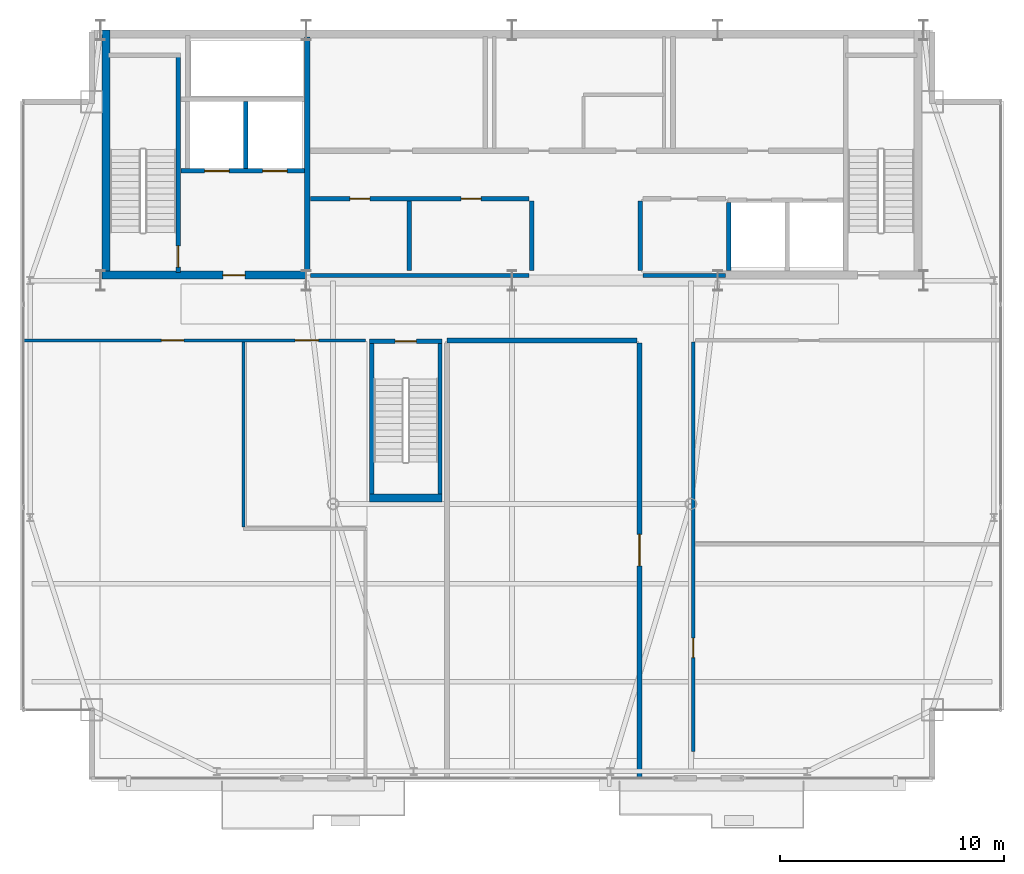
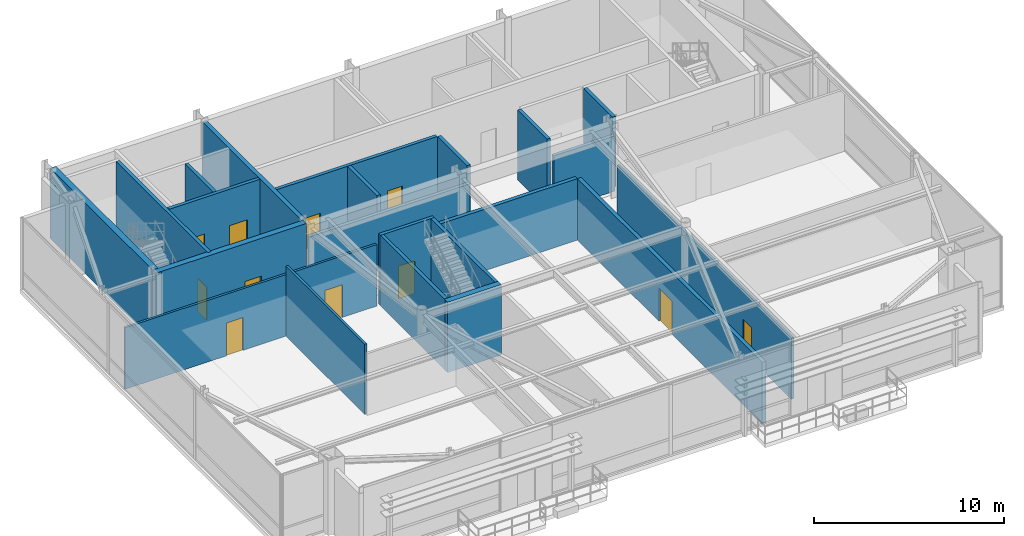
# One storey, part 18 of 22: 22 walls, 11 doors, 11 openings.
"""IFC4 building model written with IfcOpenShell, lengths in metres."""

import ifcopenshell
import ifcopenshell.guid

model = None  # the IFC model being written
_history = None  # IfcOwnerHistory: only IFC2X3 demands one
_inside = {}  # id of a spatial element -> (the spatial element, [elements in it])
_under = {}  # id of a project, library or spatial element -> (it, [spatial elements below it])
_declared = {}  # id of a project -> (the project, [libraries it declares])
_typed = {}  # id of a type object -> (the type object, [elements of that type])
_made_of = {}  # id of a material, layer set ... -> (it, [elements and type objects made of it])


def new_model(schema):
    """Start an empty IFC model of exactly this schema.

    Asked for "IFC4X3", IfcOpenShell would pick the latest addendum, in which some entities
    have other attributes; the version numbers below select the first issue.
    IFC2X3 requires an IfcOwnerHistory on every rooted entity: one is made here for all.
    """
    global model, _history
    if schema == "IFC4X3":
        model = ifcopenshell.file(schema_version=(4, 3, 0, 0))
    else:
        model = ifcopenshell.file(schema=schema)
    _inside.clear()
    _under.clear()
    _declared.clear()
    _typed.clear()
    _made_of.clear()
    _history = None
    if model.schema == "IFC2X3":
        org = make("IfcOrganization", Name="unknown")
        user = make(
            "IfcPersonAndOrganization",
            ThePerson=make("IfcPerson", FamilyName="unknown"),
            TheOrganization=org,
        )
        app = make(
            "IfcApplication",
            ApplicationDeveloper=org,
            Version="unknown",
            ApplicationFullName="unknown",
            ApplicationIdentifier="unknown",
        )
        _history = make(
            "IfcOwnerHistory",
            OwningUser=user,
            OwningApplication=app,
            ChangeAction="ADDED",
            CreationDate=0,
        )
    return model


def make(cls, **values):
    """One entity of the class cls with the attributes given. An attribute that is None is left unset."""
    return model.create_entity(
        cls, **{name: value for name, value in values.items() if value is not None}
    )


def rooted(cls, **values):
    """An entity with a GlobalId (a new one), such as an element, a storey or a relation."""
    return make(cls, GlobalId=ifcopenshell.guid.new(), OwnerHistory=_history, **values)


def si_unit(unit_type, name, prefix=None):
    """IfcSIUnit, for example si_unit("LENGTHUNIT", "METRE", prefix="MILLI")."""
    return make("IfcSIUnit", UnitType=unit_type, Prefix=prefix, Name=name)


def assignment(units):
    """IfcUnitAssignment: the units of a project."""
    return None if units is None else make("IfcUnitAssignment", Units=units)


def point(xyz):
    """IfcCartesianPoint."""
    return None if xyz is None else make("IfcCartesianPoint", Coordinates=xyz)


def direction(xyz):
    """IfcDirection."""
    return None if xyz is None else make("IfcDirection", DirectionRatios=xyz)


def frame(location, z_axis=None, x_axis=None):
    """IfcAxis2Placement3D, a coordinate frame: its origin and axes. An axis left out is left unset."""
    return make(
        "IfcAxis2Placement3D",
        Location=point(location),
        Axis=direction(z_axis),
        RefDirection=direction(x_axis),
    )


def frame_2d(location, x_axis=None):
    """IfcAxis2Placement2D, a coordinate frame in the plane: its origin and x axis."""
    return make(
        "IfcAxis2Placement2D", Location=point(location), RefDirection=direction(x_axis)
    )


def origin():
    """The frame at (0, 0, 0) with its axes left unset."""
    return frame((0.0, 0.0, 0.0))


def place(relative_to, where):
    """IfcLocalPlacement: puts the frame where relative to a parent placement (None: the world)."""
    return make(
        "IfcLocalPlacement", PlacementRelTo=relative_to, RelativePlacement=where
    )


def context(
    kind, dimensions, precision=None, world=None, true_north=None, identifier=None
):
    """IfcGeometricRepresentationContext, for example the 3D "Model" context."""
    return make(
        "IfcGeometricRepresentationContext",
        ContextIdentifier=identifier,
        ContextType=kind,
        CoordinateSpaceDimension=dimensions,
        Precision=precision,
        WorldCoordinateSystem=world,
        TrueNorth=true_north,
    )


def subcontext(parent, identifier, kind, view, scale=None):
    """IfcGeometricRepresentationSubContext, for example "Body" below "Model"."""
    return make(
        "IfcGeometricRepresentationSubContext",
        ContextIdentifier=identifier,
        ContextType=kind,
        ParentContext=parent,
        TargetScale=scale,
        TargetView=view,
    )


def project(units=None, contexts=None):
    """IfcProject with its units and contexts."""
    return rooted(
        "IfcProject",
        Name="project",
        RepresentationContexts=contexts,
        UnitsInContext=assignment(units),
    )


def spatial(cls, under=None, at=None, **own):
    """A site, building, storey or space (cls), placed at a placement, below another one or the project."""
    s = rooted(cls, ObjectPlacement=at, **own)
    if under is not None:
        _under.setdefault(under.id(), (under, []))[1].append(s)
    return s


def profile(cls, at=None, kind="AREA", **sizes):
    """A parametric profile (cls). Its sizes go by their IFC names, for example OverallWidth=200.0."""
    return make(cls, ProfileType=kind, Position=at, **sizes)


def rectangle(**sizes):
    """IfcRectangleProfileDef."""
    return profile("IfcRectangleProfileDef", **sizes)


def extrude(swept, where, along, depth):
    """IfcExtrudedAreaSolid: the profile swept, set in the frame where, extruded along a direction by depth."""
    return make(
        "IfcExtrudedAreaSolid",
        SweptArea=swept,
        Position=where,
        ExtrudedDirection=direction(along),
        Depth=depth,
    )


def shape(context_of_items, identifier, shape_type, items):
    """IfcShapeRepresentation: the items that make up one representation, for example the "Body"."""
    return make(
        "IfcShapeRepresentation",
        ContextOfItems=context_of_items,
        RepresentationIdentifier=identifier,
        RepresentationType=shape_type,
        Items=items,
    )


def source(mapping_origin, context_of_items, identifier, shape_type, items):
    """IfcRepresentationMap: a shape defined once, which mapped items show again and again."""
    return make(
        "IfcRepresentationMap",
        MappingOrigin=mapping_origin,
        MappedRepresentation=shape(context_of_items, identifier, shape_type, items),
    )


def transform(
    local_origin,
    x_axis=None,
    y_axis=None,
    z_axis=None,
    scale=None,
    scale2=None,
    scale3=None,
    uniform=True,
):
    """IfcCartesianTransformationOperator3D, or its non-uniform kind. x_axis, y_axis, z_axis: its Axis1, 2, 3."""
    if uniform:
        return make(
            "IfcCartesianTransformationOperator3D",
            Axis1=direction(x_axis),
            Axis2=direction(y_axis),
            LocalOrigin=point(local_origin),
            Scale=scale,
            Axis3=direction(z_axis),
        )
    return make(
        "IfcCartesianTransformationOperator3DnonUniform",
        Axis1=direction(x_axis),
        Axis2=direction(y_axis),
        LocalOrigin=point(local_origin),
        Scale=scale,
        Axis3=direction(z_axis),
        Scale2=scale2,
        Scale3=scale3,
    )


def mapped(mapping_source, mapping_target):
    """IfcMappedItem: shows the shape of a source again, moved by a transform."""
    return make(
        "IfcMappedItem", MappingSource=mapping_source, MappingTarget=mapping_target
    )


def material(Name=None, Category=None):
    """IfcMaterial."""
    return make("IfcMaterial", Name=Name, Category=Category)


def layer(
    of_material, thickness, ventilated=None, Name=None, Category=None, Priority=None
):
    """IfcMaterialLayer: one layer of a wall or slab, of a material (None: an air gap)."""
    return make(
        "IfcMaterialLayer",
        Material=of_material,
        LayerThickness=thickness,
        IsVentilated=ventilated,
        Name=Name,
        Category=Category,
        Priority=Priority,
    )


def layer_set(layers, Name=None):
    """IfcMaterialLayerSet."""
    return make("IfcMaterialLayerSet", MaterialLayers=layers, LayerSetName=Name)


def made_of(thing, what):
    """Note that an element or type object is made of a material, layer set ...; save() writes the relation."""
    if what is not None:
        _made_of.setdefault(what.id(), (what, []))[1].append(thing)
    return thing


def type_object(cls, material=None, **own):
    """A type object (cls), such as IfcWallType, which elements share."""
    return made_of(rooted(cls, **own), material)


def type_shapes(of_type, sources):
    """Give a type object the sources (RepresentationMaps) that its elements show as mapped items."""
    of_type.RepresentationMaps = sources


def element(
    cls,
    number,
    at=None,
    inside=None,
    cuts=None,
    type_object=None,
    material=None,
    context=None,
    identifier="Body",
    shape_type=None,
    held_by="IfcProductDefinitionShape",
    body=None,
    shapes=None,
    **own,
):
    """One element of the class cls, such as IfcWall. Its Tag is "e" and its number.

    at: its placement. inside: the storey or other place that contains it. cuts: it is an
    opening in that element (IfcRelVoidsElement). A single representation is given by context,
    identifier, shape_type and body (its items); several are given by shapes. held_by: the class
    of the entity that holds the representations. save() writes the other relations.
    """
    e = rooted(cls, Tag="e%d" % number, ObjectPlacement=at, **own)
    if body is not None:
        shapes = [shape(context, identifier, shape_type, body)]
    if shapes is not None:
        e.Representation = make(held_by, Representations=shapes)
    if inside is not None:
        _inside.setdefault(inside.id(), (inside, []))[1].append(e)
    if cuts is not None:
        rooted(
            "IfcRelVoidsElement", RelatingBuildingElement=cuts, RelatedOpeningElement=e
        )
    if type_object is not None:
        _typed.setdefault(type_object.id(), (type_object, []))[1].append(e)
    return made_of(e, material)


def fill(opening, filler):
    """IfcRelFillsElement: the door or window that sits in an opening."""
    return rooted(
        "IfcRelFillsElement",
        RelatingOpeningElement=opening,
        RelatedBuildingElement=filler,
    )


def aggregate(whole, parts):
    """IfcRelAggregates: a whole, such as a stair, and the parts it consists of."""
    return rooted("IfcRelAggregates", RelatingObject=whole, RelatedObjects=parts)


def save(model, path):
    """Write the relations noted so far, then the file.

    IfcRelAggregates (storeys below a building ...), IfcRelContainedInSpatialStructure (elements
    in a storey), IfcRelDefinesByType, IfcRelAssociatesMaterial and IfcRelDeclares: one each for
    every whole, place, type object, material and project.
    """
    for whole, parts in _under.values():
        aggregate(whole, parts)
    for where, things in _inside.values():
        rooted(
            "IfcRelContainedInSpatialStructure",
            RelatedElements=things,
            RelatingStructure=where,
        )
    for kind, things in _typed.values():
        rooted("IfcRelDefinesByType", RelatedObjects=things, RelatingType=kind)
    for what, things in _made_of.values():
        rooted("IfcRelAssociatesMaterial", RelatedObjects=things, RelatingMaterial=what)
    for by, libraries in _declared.values():
        rooted("IfcRelDeclares", RelatingContext=by, RelatedDefinitions=libraries)
    model.write(path)


model = new_model("IFC4")

# Units and contexts
model_context = context("Model", 3, precision=1e-05, world=origin(), true_north=direction((0.0, 1.0)))
body_context = subcontext(model_context, "Body", "Model", "MODEL_VIEW")
ifc_project = project(units=[si_unit("LENGTHUNIT", "METRE"), si_unit("AREAUNIT", "SQUARE_METRE"), si_unit("VOLUMEUNIT", "CUBIC_METRE"), si_unit("PLANEANGLEUNIT", "RADIAN"), si_unit("MASSUNIT", "GRAM", prefix="KILO")], contexts=[model_context])

# Site, building, storey
site_placement = place(None, origin())
site = spatial("IfcSite", under=ifc_project, at=site_placement, CompositionType="ELEMENT")
building_placement = place(site_placement, origin())
building = spatial("IfcBuilding", under=site, at=building_placement, Name="Varnel Quay Broadcast Tower", CompositionType="ELEMENT")
storey_placement = place(building_placement, frame((0.0, 0.0, 305.0)))
storey = spatial("IfcBuildingStorey", under=building, at=storey_placement, Name="L76", CompositionType="ELEMENT", Elevation=305.0)

# Wall, opening, door
ifc_material_1 = material(Name="Concrete CSA A23.3 C50/60", Category="concrete")
ifc_layer_1 = layer(ifc_material_1, 0.199951171875, Name="Concrete CSA A23.3 C50/60")
ifc_layer_set_1 = layer_set([ifc_layer_1], Name="Concrete CSA A23.3 C50/60")
wall_type_1 = type_object("IfcWallType", Name="Wall_CoreShaftShear200", PredefinedType="SHEAR", material=ifc_layer_set_1)
wall_1_placement = place(storey_placement, frame((19.080078125, 35.949951171875, 0.0), z_axis=(0.0, 0.0, 1.0), x_axis=(0.0, 1.0, 0.0)))
wall_1 = element("IfcWall", 1, at=wall_1_placement, inside=storey, type_object=wall_type_1, Name="L76 Stair 1 East Structural Wall", PredefinedType="SHEAR", context=body_context, shape_type="SweptSolid", body=[
    extrude(rectangle(XDim=9.650146484375, YDim=0.199951171875, at=frame_2d((4.8251953125, 0.0))), origin(), (0.0, 0.0, 1.0), 4.52001953125),
])
opening_1_placement = place(wall_1_placement, frame((0.25, 0.0, 0.0)))
opening_1 = element("IfcOpeningElement", 2, at=opening_1_placement, cuts=wall_1, Name="Opening D-L76-S1", PredefinedType="OPENING", context=body_context, shape_type="SweptSolid", body=[
    extrude(rectangle(XDim=0.949951171875, YDim=2.10009765625, at=frame_2d((0.47509765625, 1.050048828125))), frame((0.0, 0.10986328125, 0.0), z_axis=(0.0, -1.0, 0.0), x_axis=(1.0, 0.0, 0.0)), (0.0, 0.0, 1.0), 0.219970703125),
])
ifc_material_2 = material(Name="Insulated Fire-Rated Hollow Steel Door", Category="steel")
door_type_1 = type_object("IfcDoorType", Name="Door_FireStair950", OperationType="NOTDEFINED", PredefinedType="DOOR", material=ifc_material_2)
shared_shape_1 = source(origin(), body_context, "Body", "SweptSolid", [
    extrude(rectangle(XDim=0.949951171875, YDim=2.10009765625, at=frame_2d((0.47509765625, 1.050048828125))), frame((0.0, 0.02490234375, 0.0), z_axis=(0.0, -1.0, 0.0), x_axis=(1.0, 0.0, 0.0)), (0.0, 0.0, 1.0), 0.050048828125),
])
type_shapes(door_type_1, [shared_shape_1])
door_1_placement = place(opening_1_placement, origin())
door_1 = element("IfcDoor", 3, at=door_1_placement, inside=storey, type_object=door_type_1, Name="L76 Stair 1 Fire Door", OperationType="SINGLE_SWING_LEFT", OverallHeight=2.10009765625, OverallWidth=0.949951171875, PredefinedType="DOOR", context=body_context, shape_type="MappedRepresentation", body=[
    mapped(shared_shape_1, transform((0.0, 0.0, 0.0), x_axis=(1.0, 0.0, 0.0), y_axis=(0.0, 1.0, 0.0), z_axis=(0.0, 0.0, 1.0), scale=1.0)),
])
fill(opening_1, door_1)

# Wall, openings, doors
wall_2_placement = place(storey_placement, frame((19.199951171875, 40.5, 0.0), z_axis=(0.0, 0.0, 1.0), x_axis=(1.0, 0.0, 0.0)))
wall_2 = element("IfcWall", 4, at=wall_2_placement, inside=storey, type_object=wall_type_1, Name="L76 Firefighter Lift Shaft Front Wall", PredefinedType="SHEAR", context=body_context, shape_type="SweptSolid", body=[
    extrude(rectangle(XDim=5.52001953125, YDim=0.199951171875, at=frame_2d((2.760009765625, 0.0))), origin(), (0.0, 0.0, 1.0), 4.52001953125),
])
opening_2_placement = place(wall_2_placement, frame((1.050048828125, 0.0, 0.0)))
opening_2 = element("IfcOpeningElement", 5, at=opening_2_placement, cuts=wall_2, Name="Opening LD-L76-FE1", PredefinedType="OPENING", context=body_context, shape_type="SweptSolid", body=[
    extrude(rectangle(XDim=1.10009765625, YDim=2.179931640625, at=frame_2d((0.550048828125, 1.08984375))), frame((0.0, 0.10986328125, 0.0), z_axis=(0.0, -1.0, 0.0), x_axis=(1.0, 0.0, 0.0)), (0.0, 0.0, 1.0), 0.219970703125),
])
opening_3_placement = place(wall_2_placement, frame((3.64990234375, 0.0, 0.0)))
opening_3 = element("IfcOpeningElement", 6, at=opening_3_placement, cuts=wall_2, Name="Opening LD-L76-FE2", PredefinedType="OPENING", context=body_context, shape_type="SweptSolid", body=[
    extrude(rectangle(XDim=1.10009765625, YDim=2.179931640625, at=frame_2d((0.550048828125, 1.08984375))), frame((0.0, 0.10986328125, 0.0), z_axis=(0.0, -1.0, 0.0), x_axis=(1.0, 0.0, 0.0)), (0.0, 0.0, 1.0), 0.219970703125),
])
ifc_material_3 = material(Name="Brushed Bronze-Stainless Lift Car & Sliding Doors", Category="steel")
door_type_2 = type_object("IfcDoorType", Name="Door_LiftLanding1100", OperationType="SLIDING_TO_LEFT", PredefinedType="DOOR", material=ifc_material_3)
shared_shape_2 = source(origin(), body_context, "Body", "SweptSolid", [
    extrude(rectangle(XDim=1.10009765625, YDim=2.179931640625, at=frame_2d((0.550048828125, 1.08984375))), frame((0.0, 0.02490234375, 0.0), z_axis=(0.0, -1.0, 0.0), x_axis=(1.0, 0.0, 0.0)), (0.0, 0.0, 1.0), 0.050048828125),
])
type_shapes(door_type_2, [shared_shape_2])
door_2_placement = place(opening_2_placement, frame((1.10009765625, 0.0, 0.0), z_axis=(0.0, 0.0, 1.0), x_axis=(-1.0, 0.0, 0.0)))
door_2 = element("IfcDoor", 7, at=door_2_placement, inside=storey, type_object=door_type_2, Name="L76 Firefighter Lift FE-01 Landing Door", OperationType="SLIDING_TO_LEFT", OverallHeight=2.179931640625, OverallWidth=1.10009765625, PredefinedType="DOOR", context=body_context, shape_type="MappedRepresentation", body=[
    mapped(shared_shape_2, transform((0.0, 0.0, 0.0), x_axis=(1.0, 0.0, 0.0), y_axis=(0.0, 1.0, 0.0), z_axis=(0.0, 0.0, 1.0), scale=1.0)),
])
fill(opening_2, door_2)
door_3_placement = place(opening_3_placement, frame((1.10009765625, 0.0, 0.0), z_axis=(0.0, 0.0, 1.0), x_axis=(-1.0, 0.0, 0.0)))
door_3 = element("IfcDoor", 8, at=door_3_placement, inside=storey, type_object=door_type_2, Name="L76 Firefighter Lift FE-02 Landing Door", OperationType="SLIDING_TO_RIGHT", OverallHeight=2.179931640625, OverallWidth=1.10009765625, PredefinedType="DOOR", context=body_context, shape_type="MappedRepresentation", body=[
    mapped(shared_shape_2, transform((0.0, 0.0, 0.0), x_axis=(1.0, 0.0, 0.0), y_axis=(0.0, 1.0, 0.0), z_axis=(0.0, 0.0, 1.0), scale=1.0)),
])
fill(opening_3, door_3)

# Walls
wall_3_placement = place(storey_placement, frame((22.10009765625, 40.60009765625, 0.0), z_axis=(0.0, 0.0, 1.0), x_axis=(0.0, 1.0, 0.0)))
element("IfcWall", 9, at=wall_3_placement, inside=storey, type_object=wall_type_1, Name="L76 Firefighter Lift Shaft Divider", PredefinedType="SHEAR", context=body_context, shape_type="SweptSolid", body=[
    extrude(rectangle(XDim=3.0, YDim=0.199951171875, at=frame_2d((1.5, 0.0))), origin(), (0.0, 0.0, 1.0), 4.52001953125),
])
wall_4_placement = place(storey_placement, frame((43.699951171875, 36.050048828125, 0.0), z_axis=(0.0, 0.0, 1.0), x_axis=(0.0, 1.0, 0.0)))
element("IfcWall", 10, at=wall_4_placement, inside=storey, type_object=wall_type_1, Name="L76 Express Lift Shaft West Wall", PredefinedType="SHEAR", context=body_context, shape_type="SweptSolid", body=[
    extrude(rectangle(XDim=3.050048828125, YDim=0.199951171875, at=frame_2d((1.52490234375, 0.0))), origin(), (0.0, 0.0, 1.0), 4.52001953125),
])
for number, where, z_axis, x_axis, name in (
    (11, (27.719970703125, 26.0, 0.0), (0.0, 0.0, 1.0), (0.0, 1.0, 0.0), "L76 Observation Stair 4 W Structural Wall"),
    (12, (30.780029296875, 26.0, 0.0), (0.0, 0.0, 1.0), (0.0, 1.0, 0.0), "L76 Observation Stair 4 E Structural Wall"),
):
    element("IfcWall", number, at=place(storey_placement, frame(where, z_axis=z_axis, x_axis=x_axis)), inside=storey, type_object=wall_type_1, Name=name, PredefinedType="SHEAR", context=body_context, shape_type="SweptSolid", body=[
        extrude(rectangle(XDim=6.800048828125, YDim=0.199951171875, at=frame_2d((3.39990234375, 0.0))), origin(), (0.0, 0.0, 1.0), 4.52001953125),
    ])

# Wall, opening, door
wall_5_placement = place(storey_placement, frame((27.6201171875, 32.8798828125, 0.0), z_axis=(0.0, 0.0, 1.0), x_axis=(1.0, 0.0, 0.0)))
wall_5 = element("IfcWall", 13, at=wall_5_placement, inside=storey, type_object=wall_type_1, Name="L76 Observation Stair 4 North Structural Wall", PredefinedType="SHEAR", context=body_context, shape_type="SweptSolid", body=[
    extrude(rectangle(XDim=3.259765625, YDim=0.199951171875, at=frame_2d((1.6298828125, 0.0))), origin(), (0.0, 0.0, 1.0), 4.52001953125),
])
opening_4_placement = place(wall_5_placement, frame((1.14990234375, 0.0, 0.0)))
opening_4 = element("IfcOpeningElement", 14, at=opening_4_placement, cuts=wall_5, Name="Opening D-L76-S4", PredefinedType="OPENING", context=body_context, shape_type="SweptSolid", body=[
    extrude(rectangle(XDim=0.949951171875, YDim=2.10009765625, at=frame_2d((0.47509765625, 1.050048828125))), frame((0.0, 0.10986328125, 0.0), z_axis=(0.0, -1.0, 0.0), x_axis=(1.0, 0.0, 0.0)), (0.0, 0.0, 1.0), 0.219970703125),
])
door_4_placement = place(opening_4_placement, frame((0.949951171875, 0.0, 0.0), z_axis=(0.0, 0.0, 1.0), x_axis=(-1.0, 0.0, 0.0)))
door_4 = element("IfcDoor", 15, at=door_4_placement, inside=storey, type_object=door_type_1, Name="L76 Observation Stair 4 Door", OperationType="SINGLE_SWING_RIGHT", OverallHeight=2.10009765625, OverallWidth=0.949951171875, PredefinedType="DOOR", context=body_context, shape_type="MappedRepresentation", body=[
    mapped(shared_shape_1, transform((0.0, 0.0, 0.0), x_axis=(1.0, 0.0, 0.0), y_axis=(0.0, 1.0, 0.0), z_axis=(0.0, 0.0, 1.0), scale=1.0)),
])
fill(opening_4, door_4)

# Walls
ifc_layer_2 = layer(ifc_material_1, 0.25, Name="Concrete CSA A23.3 C50/60")
ifc_layer_set_2 = layer_set([ifc_layer_2], Name="Concrete CSA A23.3 C50/60")
wall_type_2 = type_object("IfcWallType", Name="Wall_CoreShaftShear250", PredefinedType="SHEAR", material=ifc_layer_set_2)
wall_6_placement = place(storey_placement, frame((24.85009765625, 36.050048828125, 0.0), z_axis=(0.0, 0.0, 1.0), x_axis=(0.0, 1.0, 0.0)))
element("IfcWall", 16, at=wall_6_placement, inside=storey, type_object=wall_type_2, Name="L76 Firefighting Lobby East Structural Wall", PredefinedType="SHEAR", context=body_context, shape_type="SweptSolid", body=[
    extrude(rectangle(XDim=10.449951171875, YDim=0.25, at=frame_2d((5.22509765625, 0.0))), origin(), (0.0, 0.0, 1.0), 4.52001953125),
])
ifc_layer_3 = layer(ifc_material_1, 0.35009765625, Name="Concrete CSA A23.3 C50/60")
ifc_layer_set_3 = layer_set([ifc_layer_3], Name="Concrete CSA A23.3 C50/60")
wall_type_3 = type_object("IfcWallType", Name="Wall_CoreShearInt350", PredefinedType="SHEAR", material=ifc_layer_set_3)
wall_7_placement = place(storey_placement, frame((15.844970703125, 35.669921875, 0.0), z_axis=(0.0, 0.0, 1.0), x_axis=(0.0, 1.0, 0.0)))
element("IfcWall", 17, at=wall_7_placement, inside=storey, type_object=wall_type_3, Name="L76 West Core Shear Wall", PredefinedType="SHEAR", context=body_context, shape_type="SweptSolid", body=[
    extrude(rectangle(XDim=11.130126953125, YDim=0.35009765625, at=frame_2d((5.56494140625, 0.0))), origin(), (0.0, 0.0, 1.0), 4.52001953125),
])

# Wall, opening, door
wall_8_placement = place(storey_placement, frame((15.669921875, 35.844970703125, 0.0), z_axis=(0.0, 0.0, 1.0), x_axis=(1.0, 0.0, 0.0)))
wall_8 = element("IfcWall", 18, at=wall_8_placement, inside=storey, type_object=wall_type_3, Name="L76 South-West Core Shear Wall", PredefinedType="SHEAR", context=body_context, shape_type="SweptSolid", body=[
    extrude(rectangle(XDim=9.130126953125, YDim=0.35009765625, at=frame_2d((4.56494140625, 0.0))), origin(), (0.0, 0.0, 1.0), 4.52001953125),
])
opening_5_placement = place(wall_8_placement, frame((5.39990234375, 0.0, 0.0)))
opening_5 = element("IfcOpeningElement", 19, at=opening_5_placement, cuts=wall_8, Name="Opening D-L76-FFL", PredefinedType="OPENING", context=body_context, shape_type="SweptSolid", body=[
    extrude(rectangle(XDim=1.0, YDim=2.10009765625, at=frame_2d((0.5, 1.050048828125))), frame((0.0, 0.18505859375, 0.0), z_axis=(0.0, -1.0, 0.0), x_axis=(1.0, 0.0, 0.0)), (0.0, 0.0, 1.0), 0.3701171875),
])
door_type_3 = type_object("IfcDoorType", Name="Door_FireLobby1000", OperationType="NOTDEFINED", PredefinedType="DOOR", material=ifc_material_2)
shared_shape_3 = source(origin(), body_context, "Body", "SweptSolid", [
    extrude(rectangle(XDim=1.0, YDim=2.10009765625, at=frame_2d((0.5, 1.050048828125))), frame((0.0, 0.02490234375, 0.0), z_axis=(0.0, -1.0, 0.0), x_axis=(1.0, 0.0, 0.0)), (0.0, 0.0, 1.0), 0.050048828125),
])
type_shapes(door_type_3, [shared_shape_3])
door_5_placement = place(opening_5_placement, origin())
door_5 = element("IfcDoor", 20, at=door_5_placement, inside=storey, type_object=door_type_3, Name="L76 Firefighting Lobby Door", OperationType="SINGLE_SWING_RIGHT", OverallHeight=2.10009765625, OverallWidth=1.0, PredefinedType="DOOR", context=body_context, shape_type="MappedRepresentation", body=[
    mapped(shared_shape_3, transform((0.0, 0.0, 0.0), x_axis=(1.0, 0.0, 0.0), y_axis=(0.0, 1.0, 0.0), z_axis=(0.0, 0.0, 1.0), scale=1.0)),
])
fill(opening_5, door_5)

# Walls
wall_9_placement = place(storey_placement, frame((27.6201171875, 25.8798828125, 0.0), z_axis=(0.0, 0.0, 1.0), x_axis=(1.0, 0.0, 0.0)))
element("IfcWall", 21, at=wall_9_placement, inside=storey, type_object=wall_type_3, Name="L76 Observation Stair 4 S Structural Wall", PredefinedType="SHEAR", context=body_context, shape_type="SweptSolid", body=[
    extrude(rectangle(XDim=3.259765625, YDim=0.35009765625, at=frame_2d((1.6298828125, 0.0))), origin(), (0.0, 0.0, 1.0), 4.52001953125),
])
ifc_material_4 = material(Name="Concrete Blockwork Fire Enclosure C40/50", Category="masonry")
ifc_layer_4 = layer(ifc_material_4, 0.199951171875, Name="Concrete Blockwork Fire Enclosure C40/50")
ifc_layer_set_4 = layer_set([ifc_layer_4], Name="Concrete Blockwork Fire Enclosure C40/50")
wall_type_4 = type_object("IfcWallType", Name="Wall_FireShaft200", PredefinedType="SOLIDWALL", material=ifc_layer_set_4)
wall_10_placement = place(storey_placement, frame((39.85009765625, 35.824951171875, 0.0), z_axis=(0.0, 0.0, 1.0), x_axis=(1.0, 0.0, 0.0)))
element("IfcWall", 22, at=wall_10_placement, inside=storey, type_object=wall_type_4, Name="L76 Electrical Sub-Distribution Closet Partition 5", PredefinedType="SOLIDWALL", context=body_context, shape_type="SweptSolid", body=[
    extrude(rectangle(XDim=3.699951171875, YDim=0.199951171875, at=frame_2d((1.85009765625, 0.0))), origin(), (0.0, 0.0, 1.0), 3.544921875),
])
wall_11_placement = place(storey_placement, frame((39.72509765625, 36.050048828125, 0.0), z_axis=(0.0, 0.0, 1.0), x_axis=(0.0, 1.0, 0.0)))
element("IfcWall", 23, at=wall_11_placement, inside=storey, type_object=wall_type_4, Name="L76 Electrical Sub-Distribution Closet Partition 7", PredefinedType="SOLIDWALL", context=body_context, shape_type="SweptSolid", body=[
    extrude(rectangle(XDim=3.099853515625, YDim=0.199951171875, at=frame_2d((1.5498046875, 0.0))), origin(), (0.0, 0.0, 1.0), 4.5),
])
ifc_material_5 = material(Name="Steel-Stud Fire-Rated Acoustic Gypsum Partition Assembly", Category="steel")
ifc_layer_5 = layer(ifc_material_5, 0.139892578125, Name="Steel-Stud Fire-Rated Acoustic Gypsum Partition Assembly")
ifc_layer_set_5 = layer_set([ifc_layer_5], Name="Steel-Stud Fire-Rated Acoustic Gypsum Partition Assembly")
wall_type_5 = type_object("IfcWallType", Name="Wall_Partition140", PredefinedType="PARTITIONING", material=ifc_layer_set_5)
wall_12_placement = place(storey_placement, frame((22.0, 24.570068359375, 0.0), z_axis=(0.0, 0.0, 1.0), x_axis=(0.0, 1.0, 0.0)))
element("IfcWall", 24, at=wall_12_placement, inside=storey, type_object=wall_type_5, Name="L76 Planted Sky-Garden Viewing Lounge Partition 10", PredefinedType="PARTITIONING", context=body_context, shape_type="SweptSolid", body=[
    extrude(rectangle(XDim=8.284912109375, YDim=0.139892578125, at=frame_2d((4.142578125, 0.0))), origin(), (0.0, 0.0, 1.0), 4.5),
])

# Wall, openings, doors
wall_13_placement = place(storey_placement, frame((12.179931640625, 32.925048828125, 0.0), z_axis=(0.0, 0.0, 1.0), x_axis=(1.0, 0.0, 0.0)))
wall_13 = element("IfcWall", 25, at=wall_13_placement, inside=storey, type_object=wall_type_5, Name="L76 Planted Sky-Garden Viewing Lounge Partition 11", PredefinedType="PARTITIONING", context=body_context, shape_type="SweptSolid", body=[
    extrude(rectangle(XDim=15.27001953125, YDim=0.139892578125, at=frame_2d((7.635009765625, 0.0))), origin(), (0.0, 0.0, 1.0), 3.950927734375),
])
opening_6_placement = place(wall_13_placement, frame((6.14501953125, 0.0, 0.0)))
opening_6 = element("IfcOpeningElement", 26, at=opening_6_placement, cuts=wall_13, Name="Opening D-L76-04", PredefinedType="OPENING", context=body_context, shape_type="SweptSolid", body=[
    extrude(rectangle(XDim=1.0, YDim=2.10009765625, at=frame_2d((0.5, 1.050048828125))), frame((0.0, 0.080078125, 0.0), z_axis=(0.0, -1.0, 0.0), x_axis=(1.0, 0.0, 0.0)), (0.0, 0.0, 1.0), 0.159912109375),
])
opening_7_placement = place(wall_13_placement, frame((12.1201171875, 0.0, 0.0)))
opening_7 = element("IfcOpeningElement", 27, at=opening_7_placement, cuts=wall_13, Name="Opening D-L76-05", PredefinedType="OPENING", context=body_context, shape_type="SweptSolid", body=[
    extrude(rectangle(XDim=1.050048828125, YDim=2.10009765625, at=frame_2d((0.52490234375, 1.050048828125))), frame((0.0, 0.080078125, 0.0), z_axis=(0.0, -1.0, 0.0), x_axis=(1.0, 0.0, 0.0)), (0.0, 0.0, 1.0), 0.159912109375),
])
ifc_material_6 = material(Name="Solid-Core Fire-Rated Acoustic Oak Veneer Door", Category="wood")
door_type_4 = type_object("IfcDoorType", Name="Door_Exec1000", OperationType="NOTDEFINED", PredefinedType="DOOR", material=ifc_material_6)
shared_shape_4 = source(origin(), body_context, "Body", "SweptSolid", [
    extrude(rectangle(XDim=1.0, YDim=2.10009765625, at=frame_2d((0.5, 1.050048828125))), frame((0.0, 0.02490234375, 0.0), z_axis=(0.0, -1.0, 0.0), x_axis=(1.0, 0.0, 0.0)), (0.0, 0.0, 1.0), 0.050048828125),
])
type_shapes(door_type_4, [shared_shape_4])
door_6_placement = place(opening_6_placement, frame((1.0, 0.0, 0.0), z_axis=(0.0, 0.0, 1.0), x_axis=(-1.0, 0.0, 0.0)))
door_6 = element("IfcDoor", 28, at=door_6_placement, inside=storey, type_object=door_type_4, Name="L76 Planted Sky-Garden Viewing Lounge Door D-L76-04", OperationType="SINGLE_SWING_RIGHT", OverallHeight=2.10009765625, OverallWidth=1.0, PredefinedType="DOOR", context=body_context, shape_type="MappedRepresentation", body=[
    mapped(shared_shape_4, transform((0.0, 0.0, 0.0), x_axis=(1.0, 0.0, 0.0), y_axis=(0.0, 1.0, 0.0), z_axis=(0.0, 0.0, 1.0), scale=1.0)),
])
fill(opening_6, door_6)
door_type_5 = type_object("IfcDoorType", Name="Door_Meeting1050", OperationType="NOTDEFINED", PredefinedType="DOOR", material=ifc_material_6)
shared_shape_5 = source(origin(), body_context, "Body", "SweptSolid", [
    extrude(rectangle(XDim=1.050048828125, YDim=2.10009765625, at=frame_2d((0.52490234375, 1.050048828125))), frame((0.0, 0.02490234375, 0.0), z_axis=(0.0, -1.0, 0.0), x_axis=(1.0, 0.0, 0.0)), (0.0, 0.0, 1.0), 0.050048828125),
])
type_shapes(door_type_5, [shared_shape_5])
door_7_placement = place(opening_7_placement, frame((1.050048828125, 0.0, 0.0), z_axis=(0.0, 0.0, 1.0), x_axis=(-1.0, 0.0, 0.0)))
door_7 = element("IfcDoor", 29, at=door_7_placement, inside=storey, type_object=door_type_5, Name="L76 Harbour Salon Suite Door D-L76-05", OperationType="SINGLE_SWING_LEFT", OverallHeight=2.10009765625, OverallWidth=1.050048828125, PredefinedType="DOOR", context=body_context, shape_type="MappedRepresentation", body=[
    mapped(shared_shape_5, transform((0.0, 0.0, 0.0), x_axis=(1.0, 0.0, 0.0), y_axis=(0.0, 1.0, 0.0), z_axis=(0.0, 0.0, 1.0), scale=1.0)),
])
fill(opening_7, door_7)

# Wall, opening, door
ifc_layer_6 = layer(ifc_material_5, 0.14990234375, Name="Steel-Stud Fire-Rated Acoustic Gypsum Partition Assembly")
ifc_layer_set_6 = layer_set([ifc_layer_6], Name="Steel-Stud Fire-Rated Acoustic Gypsum Partition Assembly")
wall_type_6 = type_object("IfcWallType", Name="Wall_Partition150", PredefinedType="PARTITIONING", material=ifc_layer_set_6)
wall_14_placement = place(storey_placement, frame((42.10009765625, 14.550048828125, 0.0), z_axis=(0.0, 0.0, 1.0), x_axis=(0.0, 1.0, 0.0)))
wall_14 = element("IfcWall", 30, at=wall_14_placement, inside=storey, type_object=wall_type_6, Name="L76 Sky Lounge Catering Kitchen Partition 16", PredefinedType="PARTITIONING", context=body_context, shape_type="SweptSolid", body=[
    extrude(rectangle(XDim=18.300048828125, YDim=0.14990234375, at=frame_2d((9.14990234375, 0.0))), origin(), (0.0, 0.0, 1.0), 3.950927734375),
])
opening_8_placement = place(wall_14_placement, frame((4.18505859375, 0.0, 0.0)))
opening_8 = element("IfcOpeningElement", 31, at=opening_8_placement, cuts=wall_14, Name="Opening D-L76-07", PredefinedType="OPENING", context=body_context, shape_type="SweptSolid", body=[
    extrude(rectangle(XDim=0.8798828125, YDim=2.06005859375, at=frame_2d((0.43994140625, 1.030029296875))), frame((0.0, 0.0849609375, 0.0), z_axis=(0.0, -1.0, 0.0), x_axis=(1.0, 0.0, 0.0)), (0.0, 0.0, 1.0), 0.169921875),
])
door_type_6 = type_object("IfcDoorType", Name="Door_Booth880", OperationType="NOTDEFINED", PredefinedType="DOOR", material=ifc_material_6)
shared_shape_6 = source(origin(), body_context, "Body", "SweptSolid", [
    extrude(rectangle(XDim=0.8798828125, YDim=2.06005859375, at=frame_2d((0.43994140625, 1.030029296875))), frame((0.0, 0.02490234375, 0.0), z_axis=(0.0, -1.0, 0.0), x_axis=(1.0, 0.0, 0.0)), (0.0, 0.0, 1.0), 0.050048828125),
])
type_shapes(door_type_6, [shared_shape_6])
door_8_placement = place(opening_8_placement, frame((0.8798828125, 0.0, 0.0), z_axis=(0.0, 0.0, 1.0), x_axis=(-1.0, 0.0, 0.0)))
door_8 = element("IfcDoor", 32, at=door_8_placement, inside=storey, type_object=door_type_6, Name="L76 Sky Lounge Catering Kitchen Door D-L76-07", OperationType="SINGLE_SWING_RIGHT", OverallHeight=2.06005859375, OverallWidth=0.8798828125, PredefinedType="DOOR", context=body_context, shape_type="MappedRepresentation", body=[
    mapped(shared_shape_6, transform((0.0, 0.0, 0.0), x_axis=(1.0, 0.0, 0.0), y_axis=(0.0, 1.0, 0.0), z_axis=(0.0, 0.0, 1.0), scale=1.0)),
])
fill(opening_8, door_8)

ifc_layer_7 = layer(ifc_material_5, 0.22509765625, Name="Steel-Stud Fire-Rated Acoustic Gypsum Partition Assembly")
ifc_layer_set_7 = layer_set([ifc_layer_7], Name="Steel-Stud Fire-Rated Acoustic Gypsum Partition Assembly")
wall_type_7 = type_object("IfcWallType", Name="Wall_Partition225", PredefinedType="PARTITIONING", material=ifc_layer_set_7)
wall_15_placement = place(storey_placement, frame((39.699951171875, 13.3798828125, 0.0), z_axis=(0.0, 0.0, 1.0), x_axis=(0.0, 1.0, 0.0)))
wall_15 = element("IfcWall", 33, at=wall_15_placement, inside=storey, type_object=wall_type_7, Name="L76 Immersive Broadcast Screening Room Partition 12", PredefinedType="PARTITIONING", context=body_context, shape_type="SweptSolid", body=[
    extrude(rectangle(XDim=19.43212890625, YDim=0.22509765625, at=frame_2d((9.716064453125, 0.0))), origin(), (0.0, 0.0, 1.0), 3.950927734375),
])
opening_9_placement = place(wall_15_placement, frame((9.465087890625, 0.0, 0.0)))
opening_9 = element("IfcOpeningElement", 34, at=opening_9_placement, cuts=wall_15, Name="Opening D-L76-06", PredefinedType="OPENING", context=body_context, shape_type="SweptSolid", body=[
    extrude(rectangle(XDim=1.39990234375, YDim=2.1201171875, at=frame_2d((0.699951171875, 1.06005859375))), frame((0.0, 0.12255859375, 0.0), z_axis=(0.0, -1.0, 0.0), x_axis=(1.0, 0.0, 0.0)), (0.0, 0.0, 1.0), 0.2451171875),
])
door_type_7 = type_object("IfcDoorType", Name="Door_Gallery1400", OperationType="DOUBLE_DOOR_SINGLE_SWING", PredefinedType="DOOR", material=ifc_material_6)
shared_shape_7 = source(origin(), body_context, "Body", "SweptSolid", [
    extrude(rectangle(XDim=1.39990234375, YDim=2.1201171875, at=frame_2d((0.699951171875, 1.06005859375))), frame((0.0, 0.02490234375, 0.0), z_axis=(0.0, -1.0, 0.0), x_axis=(1.0, 0.0, 0.0)), (0.0, 0.0, 1.0), 0.050048828125),
])
type_shapes(door_type_7, [shared_shape_7])
door_9_placement = place(opening_9_placement, origin())
door_9 = element("IfcDoor", 35, at=door_9_placement, inside=storey, type_object=door_type_7, Name="L76 Immersive Broadcast Screening Room Door D-L76-06", OperationType="DOUBLE_DOOR_SINGLE_SWING", OverallHeight=2.1201171875, OverallWidth=1.39990234375, PredefinedType="DOOR", context=body_context, shape_type="MappedRepresentation", body=[
    mapped(shared_shape_7, transform((0.0, 0.0, 0.0), x_axis=(1.0, 0.0, 0.0), y_axis=(0.0, 1.0, 0.0), z_axis=(0.0, 0.0, 1.0), scale=1.0)),
])
fill(opening_9, door_9)

# Walls
wall_16_placement = place(storey_placement, frame((31.10009765625, 32.925048828125, 0.0), z_axis=(0.0, 0.0, 1.0), x_axis=(1.0, 0.0, 0.0)))
element("IfcWall", 36, at=wall_16_placement, inside=storey, type_object=wall_type_7, Name="L76 Immersive Broadcast Screening Room Partition 13", PredefinedType="PARTITIONING", context=body_context, shape_type="SweptSolid", body=[
    extrude(rectangle(XDim=8.5, YDim=0.22509765625, at=frame_2d((4.25, 0.0))), origin(), (0.0, 0.0, 1.0), 3.950927734375),
])
ifc_material_7 = material(Name="Fire-Rated Moisture-Resistant Plumbing Chase Partition")
ifc_layer_8 = layer(ifc_material_7, 0.199951171875, Name="Fire-Rated Moisture-Resistant Plumbing Chase Partition")
ifc_layer_set_8 = layer_set([ifc_layer_8], Name="Fire-Rated Moisture-Resistant Plumbing Chase Partition")
wall_type_8 = type_object("IfcWallType", Name="Wall_Plumbing200", PredefinedType="PLUMBINGWALL", material=ifc_layer_set_8)
wall_17_placement = place(storey_placement, frame((25.0, 35.824951171875, 0.0), z_axis=(0.0, 0.0, 1.0), x_axis=(1.0, 0.0, 0.0)))
element("IfcWall", 37, at=wall_17_placement, inside=storey, type_object=wall_type_8, Name="L76 Accessible Washroom Partition 1", PredefinedType="PLUMBINGWALL", context=body_context, shape_type="SweptSolid", body=[
    extrude(rectangle(XDim=9.75, YDim=0.199951171875, at=frame_2d((4.875, 0.0))), origin(), (0.0, 0.0, 1.0), 3.544921875),
])
wall_18_placement = place(storey_placement, frame((29.39990234375, 36.050048828125, 0.0), z_axis=(0.0, 0.0, 1.0), x_axis=(0.0, 1.0, 0.0)))
element("IfcWall", 38, at=wall_18_placement, inside=storey, type_object=wall_type_8, Name="L76 Accessible Washroom Partition 2", PredefinedType="PLUMBINGWALL", context=body_context, shape_type="SweptSolid", body=[
    extrude(rectangle(XDim=3.099853515625, YDim=0.199951171875, at=frame_2d((1.5498046875, 0.0))), origin(), (0.0, 0.0, 1.0), 4.5),
])

# Wall, openings, doors
wall_19_placement = place(storey_placement, frame((25.0, 39.25, 0.0), z_axis=(0.0, 0.0, 1.0), x_axis=(1.0, 0.0, 0.0)))
wall_19 = element("IfcWall", 39, at=wall_19_placement, inside=storey, type_object=wall_type_8, Name="L76 Accessible Washroom Partition 3", PredefinedType="PLUMBINGWALL", context=body_context, shape_type="SweptSolid", body=[
    extrude(rectangle(XDim=9.75, YDim=0.199951171875, at=frame_2d((4.875, 0.0))), origin(), (0.0, 0.0, 1.0), 4.5),
])
opening_10_placement = place(wall_19_placement, frame((1.75, 0.0, 0.0)))
opening_10 = element("IfcOpeningElement", 40, at=opening_10_placement, cuts=wall_19, Name="Opening D-L76-01", PredefinedType="OPENING", context=body_context, shape_type="SweptSolid", body=[
    extrude(rectangle(XDim=0.89990234375, YDim=2.06005859375, at=frame_2d((0.449951171875, 1.030029296875))), frame((0.0, 0.10986328125, 0.0), z_axis=(0.0, -1.0, 0.0), x_axis=(1.0, 0.0, 0.0)), (0.0, 0.0, 1.0), 0.219970703125),
])
opening_11_placement = place(wall_19_placement, frame((6.72509765625, 0.0, 0.0)))
opening_11 = element("IfcOpeningElement", 41, at=opening_11_placement, cuts=wall_19, Name="Opening D-L76-02", PredefinedType="OPENING", context=body_context, shape_type="SweptSolid", body=[
    extrude(rectangle(XDim=0.89990234375, YDim=2.06005859375, at=frame_2d((0.449951171875, 1.030029296875))), frame((0.0, 0.10986328125, 0.0), z_axis=(0.0, -1.0, 0.0), x_axis=(1.0, 0.0, 0.0)), (0.0, 0.0, 1.0), 0.219970703125),
])
door_type_8 = type_object("IfcDoorType", Name="Door_Washroom900", OperationType="NOTDEFINED", PredefinedType="DOOR", material=ifc_material_6)
shared_shape_8 = source(origin(), body_context, "Body", "SweptSolid", [
    extrude(rectangle(XDim=0.89990234375, YDim=2.06005859375, at=frame_2d((0.449951171875, 1.030029296875))), frame((0.0, 0.02490234375, 0.0), z_axis=(0.0, -1.0, 0.0), x_axis=(1.0, 0.0, 0.0)), (0.0, 0.0, 1.0), 0.050048828125),
])
type_shapes(door_type_8, [shared_shape_8])
door_10_placement = place(opening_10_placement, frame((0.89990234375, 0.0, 0.0), z_axis=(0.0, 0.0, 1.0), x_axis=(-1.0, 0.0, 0.0)))
door_10 = element("IfcDoor", 42, at=door_10_placement, inside=storey, type_object=door_type_8, Name="L76 Accessible Washroom Door D-L76-01", OperationType="SINGLE_SWING_LEFT", OverallHeight=2.06005859375, OverallWidth=0.89990234375, PredefinedType="DOOR", context=body_context, shape_type="MappedRepresentation", body=[
    mapped(shared_shape_8, transform((0.0, 0.0, 0.0), x_axis=(1.0, 0.0, 0.0), y_axis=(0.0, 1.0, 0.0), z_axis=(0.0, 0.0, 1.0), scale=1.0)),
])
fill(opening_10, door_10)
door_11_placement = place(opening_11_placement, frame((0.89990234375, 0.0, 0.0), z_axis=(0.0, 0.0, 1.0), x_axis=(-1.0, 0.0, 0.0)))
door_11 = element("IfcDoor", 43, at=door_11_placement, inside=storey, type_object=door_type_8, Name="L76 Staff Washrooms Door D-L76-02", OperationType="SINGLE_SWING_RIGHT", OverallHeight=2.06005859375, OverallWidth=0.89990234375, PredefinedType="DOOR", context=body_context, shape_type="MappedRepresentation", body=[
    mapped(shared_shape_8, transform((0.0, 0.0, 0.0), x_axis=(1.0, 0.0, 0.0), y_axis=(0.0, 1.0, 0.0), z_axis=(0.0, 0.0, 1.0), scale=1.0)),
])
fill(opening_11, door_11)

# Wall
wall_20_placement = place(storey_placement, frame((34.875, 36.050048828125, 0.0), z_axis=(0.0, 0.0, 1.0), x_axis=(0.0, 1.0, 0.0)))
element("IfcWall", 44, at=wall_20_placement, inside=storey, type_object=wall_type_8, Name="L76 Staff Washrooms Partition 4", PredefinedType="PLUMBINGWALL", context=body_context, shape_type="SweptSolid", body=[
    extrude(rectangle(XDim=3.099853515625, YDim=0.199951171875, at=frame_2d((1.5498046875, 0.0))), origin(), (0.0, 0.0, 1.0), 4.5),
])

save(model, "model.ifc")
